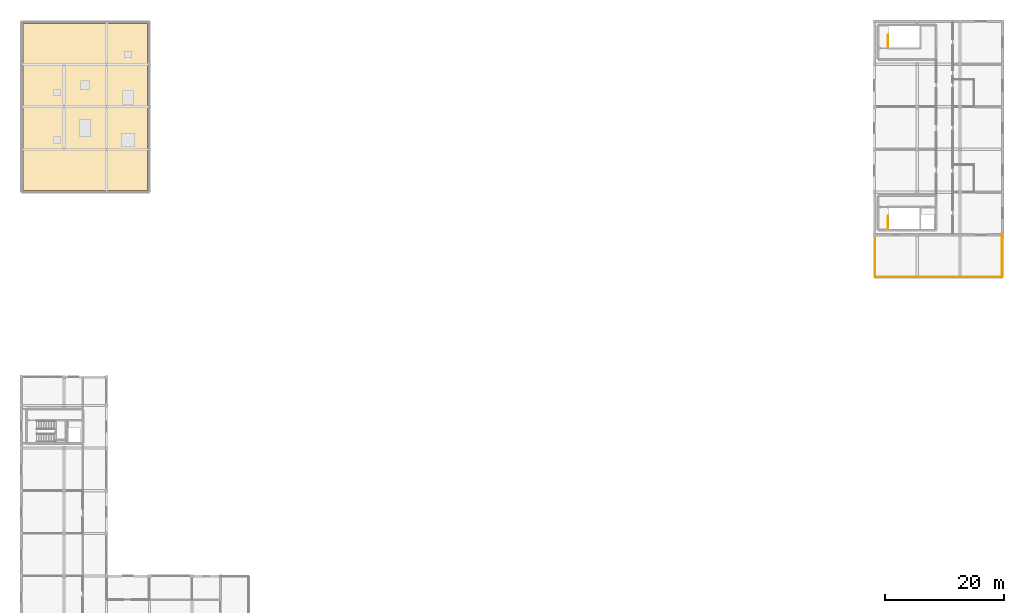
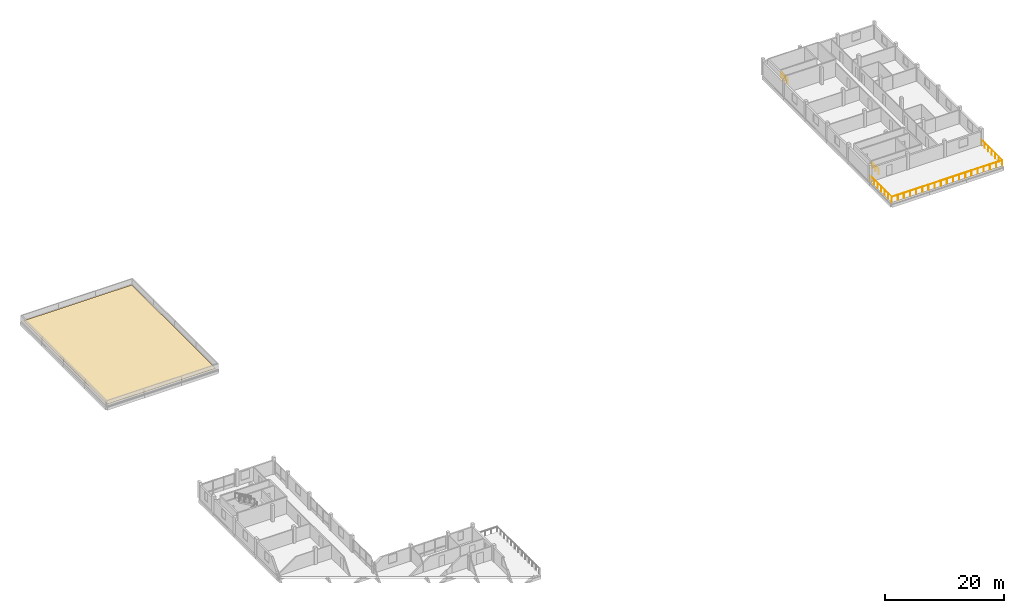
# One storey, part 26 of 26: 5 railings, 1 covering.
"""IFC4 building model written with IfcOpenShell, lengths in metres."""

from ifc_helpers import new_model, si_unit, direction, frame, origin, origin_2d, place, context, subcontext, project, spatial, polyline, circle, outline, extrude, material, layer, layer_set, type_object, element, save


model = new_model("IFC4")

# Units and contexts
model_context = context("Model", 3, precision=1e-05, world=origin(), true_north=direction((0.0, 1.0)))
body_context = subcontext(model_context, "Body", "Model", "MODEL_VIEW")
ifc_project = project(units=[si_unit("LENGTHUNIT", "METRE"), si_unit("AREAUNIT", "SQUARE_METRE"), si_unit("VOLUMEUNIT", "CUBIC_METRE"), si_unit("PLANEANGLEUNIT", "RADIAN"), si_unit("MASSUNIT", "GRAM", prefix="KILO")], contexts=[model_context])

# Site, building, storey
site_placement = place(None, origin())
site = spatial("IfcSite", under=ifc_project, at=site_placement, CompositionType="ELEMENT")
building_placement = place(site_placement, origin())
building = spatial("IfcBuilding", under=site, at=building_placement, Name="Zornivar Specialist Clinic", CompositionType="ELEMENT")
storey_placement = place(building_placement, frame((0.0, 0.0, 19.699951171875)))
storey = spatial("IfcBuildingStorey", under=building, at=storey_placement, Name="L05", CompositionType="ELEMENT", Elevation=19.699951171875)

# Covering
ifc_material_1 = material(Name="Standing-Seam Pre-Weathered Zinc Roofing")
ifc_layer = layer(ifc_material_1, 0.0400390625)
ifc_layer_set = layer_set([ifc_layer], Name="Standing-Seam Pre-Weathered Zinc Roofing")
covering_type = type_object("IfcCoveringType", Name="COV-ROOF-ZINC-40", PredefinedType="ROOFING", material=ifc_layer_set)
covering_placement = place(storey_placement, origin())
element("IfcCovering", 1, at=covering_placement, inside=storey, type_object=covering_type, Name="cov:V5:L05:roof", PredefinedType="ROOFING", context=body_context, shape_type="SweptSolid", body=[
    extrude(outline(polyline([(0.300048828125, 79.5), (21.300048828125, 79.5), (21.300048828125, 107.699951171875), (0.300048828125, 107.699951171875), (0.300048828125, 79.5)])), origin(), (0.0, 0.0, 1.0), 0.0400390625),
])

# Railings
ifc_material_2 = material(Name="Brushed Stainless Steel Stair Guardrail", Category="steel")
railing_type_1 = type_object("IfcRailingType", Name="GRD-INT-STAIR-1100", PredefinedType="GUARDRAIL", material=ifc_material_2)
railing_1_placement = place(storey_placement, frame((146.27001953125, 73.06005859375, 0.0)))
element("IfcRailing", 2, at=railing_1_placement, inside=storey, type_object=railing_type_1, Name="sg:C9:L05:topwell", PredefinedType="GUARDRAIL", context=body_context, shape_type="SweptSolid", body=[
    extrude(circle(Radius=0.02392578125, at=origin_2d()), frame((0.0, 0.0, 1.076171875), z_axis=(0.0, 1.0, 0.0), x_axis=(-1.0, 0.0, 0.0)), (0.0, 0.0, 1.0), 2.119873046875),
    extrude(circle(Radius=0.02099609375, at=origin_2d()), origin(), (0.0, 0.0, 1.0), 1.052001953125),
    extrude(circle(Radius=0.02099609375, at=origin_2d()), frame((0.0, 1.06005859375, 0.0)), (0.0, 0.0, 1.0), 1.052001953125),
    extrude(circle(Radius=0.02099609375, at=origin_2d()), frame((0.0, 2.119873046875, 0.0)), (0.0, 0.0, 1.0), 1.052001953125),
])
railing_2_placement = place(storey_placement, frame((146.27001953125, 103.659912109375, 0.0)))
element("IfcRailing", 3, at=railing_2_placement, inside=storey, type_object=railing_type_1, Name="sg:C10:L05:topwell", PredefinedType="GUARDRAIL", context=body_context, shape_type="SweptSolid", body=[
    extrude(circle(Radius=0.02392578125, at=origin_2d()), frame((0.0, 0.0, 1.076171875), z_axis=(0.0, 1.0, 0.0), x_axis=(-1.0, 0.0, 0.0)), (0.0, 0.0, 1.0), 2.1201171875),
    extrude(circle(Radius=0.02099609375, at=origin_2d()), origin(), (0.0, 0.0, 1.0), 1.052001953125),
    extrude(circle(Radius=0.02099609375, at=origin_2d()), frame((0.0, 1.06005859375, 0.0)), (0.0, 0.0, 1.0), 1.052001953125),
    extrude(circle(Radius=0.02099609375, at=origin_2d()), frame((0.0, 2.1201171875, 0.0)), (0.0, 0.0, 1.0), 1.052001953125),
])
ifc_material_3 = material(Name="Anodised Bronze Terrace Guardrail")
railing_type_2 = type_object("IfcRailingType", Name="GRD-TERR-GUARD-1120", PredefinedType="GUARDRAIL", material=ifc_material_3)
railing_3_placement = place(storey_placement, frame((144.080078125, 64.8798828125, 0.0)))
element("IfcRailing", 4, at=railing_3_placement, inside=storey, type_object=railing_type_2, Name="rail:V6:L05:terr:0:0", PredefinedType="GUARDRAIL", context=body_context, shape_type="SweptSolid", body=[
    extrude(circle(Radius=0.02392578125, at=origin_2d()), frame((0.0, 0.0, 1.09619140625), z_axis=(1.0, 0.0, 0.0), x_axis=(0.0, 1.0, 0.0)), (0.0, 0.0, 1.0), 21.43994140625),
    extrude(circle(Radius=0.02099609375, at=origin_2d()), origin(), (0.0, 0.0, 1.0), 1.072021484375),
    extrude(circle(Radius=0.02099609375, at=origin_2d()), frame((1.191162109375, 0.0, 0.0)), (0.0, 0.0, 1.0), 1.072021484375),
    extrude(circle(Radius=0.02099609375, at=origin_2d()), frame((2.38232421875, 0.0, 0.0)), (0.0, 0.0, 1.0), 1.072021484375),
    extrude(circle(Radius=0.02099609375, at=origin_2d()), frame((3.5732421875, 0.0, 0.0)), (0.0, 0.0, 1.0), 1.072021484375),
    extrude(circle(Radius=0.02099609375, at=origin_2d()), frame((4.764404296875, 0.0, 0.0)), (0.0, 0.0, 1.0), 1.072021484375),
    extrude(circle(Radius=0.02099609375, at=origin_2d()), frame((5.95556640625, 0.0, 0.0)), (0.0, 0.0, 1.0), 1.072021484375),
    extrude(circle(Radius=0.02099609375, at=origin_2d()), frame((7.146728515625, 0.0, 0.0)), (0.0, 0.0, 1.0), 1.072021484375),
    extrude(circle(Radius=0.02099609375, at=origin_2d()), frame((8.337646484375, 0.0, 0.0)), (0.0, 0.0, 1.0), 1.072021484375),
    extrude(circle(Radius=0.02099609375, at=origin_2d()), frame((9.52880859375, 0.0, 0.0)), (0.0, 0.0, 1.0), 1.072021484375),
    extrude(circle(Radius=0.02099609375, at=origin_2d()), frame((10.719970703125, 0.0, 0.0)), (0.0, 0.0, 1.0), 1.072021484375),
    extrude(circle(Radius=0.02099609375, at=origin_2d()), frame((11.9111328125, 0.0, 0.0)), (0.0, 0.0, 1.0), 1.072021484375),
    extrude(circle(Radius=0.02099609375, at=origin_2d()), frame((13.102294921875, 0.0, 0.0)), (0.0, 0.0, 1.0), 1.072021484375),
    extrude(circle(Radius=0.02099609375, at=origin_2d()), frame((14.293212890625, 0.0, 0.0)), (0.0, 0.0, 1.0), 1.072021484375),
    extrude(circle(Radius=0.02099609375, at=origin_2d()), frame((15.484375, 0.0, 0.0)), (0.0, 0.0, 1.0), 1.072021484375),
    extrude(circle(Radius=0.02099609375, at=origin_2d()), frame((16.675537109375, 0.0, 0.0)), (0.0, 0.0, 1.0), 1.072021484375),
    extrude(circle(Radius=0.02099609375, at=origin_2d()), frame((17.86669921875, 0.0, 0.0)), (0.0, 0.0, 1.0), 1.072021484375),
    extrude(circle(Radius=0.02099609375, at=origin_2d()), frame((19.0576171875, 0.0, 0.0)), (0.0, 0.0, 1.0), 1.072021484375),
    extrude(circle(Radius=0.02099609375, at=origin_2d()), frame((20.248779296875, 0.0, 0.0)), (0.0, 0.0, 1.0), 1.072021484375),
    extrude(circle(Radius=0.02099609375, at=origin_2d()), frame((21.43994140625, 0.0, 0.0)), (0.0, 0.0, 1.0), 1.072021484375),
])
railing_4_placement = place(storey_placement, frame((165.52001953125, 64.8798828125, 0.0)))
element("IfcRailing", 5, at=railing_4_placement, inside=storey, type_object=railing_type_2, Name="rail:V6:L05:terr:0:1", PredefinedType="GUARDRAIL", context=body_context, shape_type="SweptSolid", body=[
    extrude(circle(Radius=0.02392578125, at=origin_2d()), frame((0.0, 0.0, 1.09619140625), z_axis=(0.0, 1.0, 0.0), x_axis=(-1.0, 0.0, 0.0)), (0.0, 0.0, 1.0), 7.0400390625),
    extrude(circle(Radius=0.02099609375, at=origin_2d()), origin(), (0.0, 0.0, 1.0), 1.072021484375),
    extrude(circle(Radius=0.02099609375, at=origin_2d()), frame((0.0, 1.17333984375, 0.0)), (0.0, 0.0, 1.0), 1.072021484375),
    extrude(circle(Radius=0.02099609375, at=origin_2d()), frame((0.0, 2.3466796875, 0.0)), (0.0, 0.0, 1.0), 1.072021484375),
    extrude(circle(Radius=0.02099609375, at=origin_2d()), frame((0.0, 3.52001953125, 0.0)), (0.0, 0.0, 1.0), 1.072021484375),
    extrude(circle(Radius=0.02099609375, at=origin_2d()), frame((0.0, 4.693359375, 0.0)), (0.0, 0.0, 1.0), 1.072021484375),
    extrude(circle(Radius=0.02099609375, at=origin_2d()), frame((0.0, 5.86669921875, 0.0)), (0.0, 0.0, 1.0), 1.072021484375),
    extrude(circle(Radius=0.02099609375, at=origin_2d()), frame((0.0, 7.0400390625, 0.0)), (0.0, 0.0, 1.0), 1.072021484375),
])
railing_5_placement = place(storey_placement, frame((144.080078125, 71.919921875, 0.0)))
element("IfcRailing", 6, at=railing_5_placement, inside=storey, type_object=railing_type_2, Name="rail:V6:L05:terr:0:3", PredefinedType="GUARDRAIL", context=body_context, shape_type="SweptSolid", body=[
    extrude(circle(Radius=0.02392578125, at=origin_2d()), frame((0.0, 0.0, 1.09619140625), z_axis=(0.0, -1.0, 0.0), x_axis=(1.0, 0.0, 0.0)), (0.0, 0.0, 1.0), 7.0400390625),
    extrude(circle(Radius=0.02099609375, at=origin_2d()), origin(), (0.0, 0.0, 1.0), 1.072021484375),
    extrude(circle(Radius=0.02099609375, at=origin_2d()), frame((0.0, -1.17333984375, 0.0)), (0.0, 0.0, 1.0), 1.072021484375),
    extrude(circle(Radius=0.02099609375, at=origin_2d()), frame((0.0, -2.3466796875, 0.0)), (0.0, 0.0, 1.0), 1.072021484375),
    extrude(circle(Radius=0.02099609375, at=origin_2d()), frame((0.0, -3.52001953125, 0.0)), (0.0, 0.0, 1.0), 1.072021484375),
    extrude(circle(Radius=0.02099609375, at=origin_2d()), frame((0.0, -4.693359375, 0.0)), (0.0, 0.0, 1.0), 1.072021484375),
    extrude(circle(Radius=0.02099609375, at=origin_2d()), frame((0.0, -5.86669921875, 0.0)), (0.0, 0.0, 1.0), 1.072021484375),
    extrude(circle(Radius=0.02099609375, at=origin_2d()), frame((0.0, -7.0400390625, 0.0)), (0.0, 0.0, 1.0), 1.072021484375),
])

save(model, "model.ifc")
